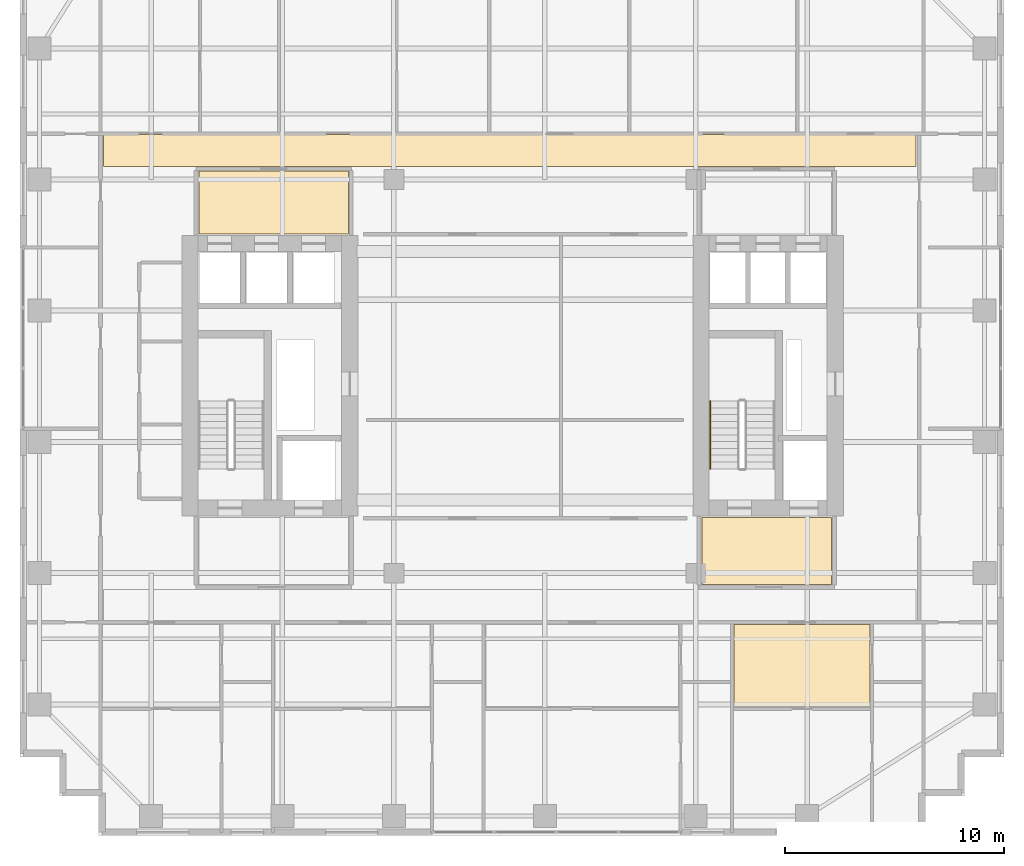
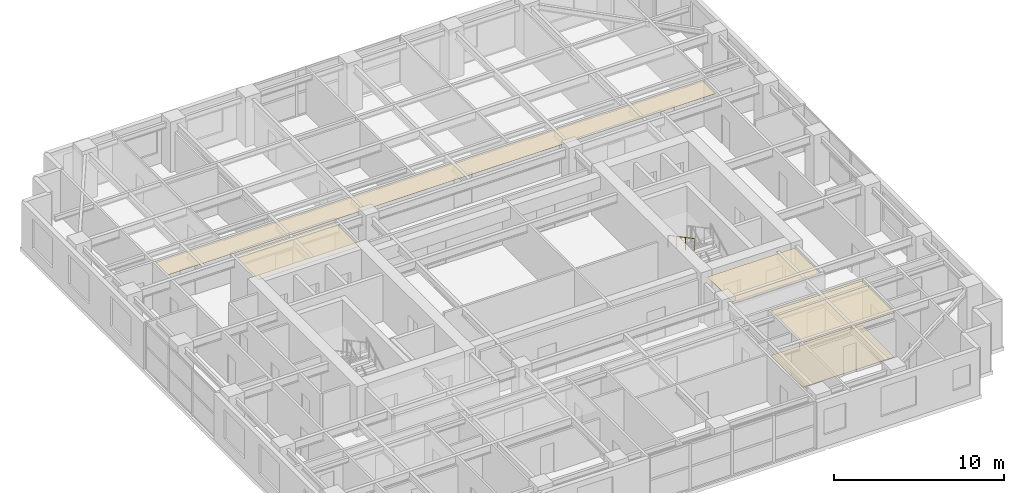
# One storey, part 18 of 20: 5 coverings, 1 railing.
"""IFC4 building model written with IfcOpenShell, lengths in metres."""

from ifc_helpers import new_model, si_unit, direction, frame, origin, origin_2d, place, context, subcontext, project, spatial, polyline, circle, outline, extrude, material, layer, layer_set, type_object, element, save


model = new_model("IFC4")

# Units and contexts
model_context = context("Model", 3, precision=1e-05, world=origin(), true_north=direction((0.0, 1.0)))
body_context = subcontext(model_context, "Body", "Model", "MODEL_VIEW")
ifc_project = project(units=[si_unit("LENGTHUNIT", "METRE"), si_unit("AREAUNIT", "SQUARE_METRE"), si_unit("VOLUMEUNIT", "CUBIC_METRE"), si_unit("PLANEANGLEUNIT", "RADIAN"), si_unit("MASSUNIT", "GRAM", prefix="KILO")], contexts=[model_context])

# Site, building, storey
site_placement = place(None, origin())
site = spatial("IfcSite", under=ifc_project, at=site_placement, CompositionType="ELEMENT")
building_placement = place(site_placement, origin())
building = spatial("IfcBuilding", under=site, at=building_placement, Name="Khoralis Quay Care Tower", CompositionType="ELEMENT")
storey_placement = place(building_placement, frame((0.0, 0.0, 116.10009765625)))
storey = spatial("IfcBuildingStorey", under=building, at=storey_placement, Name="L30", CompositionType="ELEMENT", Elevation=116.10009765625)

# Coverings
ifc_material_1 = material(Name="Mineral-fibre acoustic ceiling tile")
ifc_layer_1 = layer(ifc_material_1, 0.01806640625)
ifc_layer_set_1 = layer_set([ifc_layer_1], Name="Mineral-fibre acoustic ceiling tile")
covering_type_1 = type_object("IfcCoveringType", Name="COV-CEIL-AC18", PredefinedType="CEILING", material=ifc_layer_set_1)
covering_1_placement = place(storey_placement, frame((0.0, 0.0, 3.19189453125)))
element("IfcCovering", 1, at=covering_1_placement, inside=storey, type_object=covering_type_1, Name="Suspended Acoustic Ceiling SP-L30-FFLOB-E", PredefinedType="CEILING", context=body_context, shape_type="SweptSolid", body=[
    extrude(outline(polyline([(31.179931640625, 11.47998046875), (37.1201171875, 11.47998046875), (37.1201171875, 14.550048828125), (31.179931640625, 14.550048828125), (31.179931640625, 11.47998046875)])), origin(), (0.0, 0.0, 1.0), 0.01806640625),
])
covering_2_placement = place(storey_placement, frame((0.0, 0.0, 3.19189453125)))
element("IfcCovering", 2, at=covering_2_placement, inside=storey, type_object=covering_type_1, Name="Suspended Acoustic Ceiling SP-L30-LLOB-W", PredefinedType="CEILING", context=body_context, shape_type="SweptSolid", body=[
    extrude(outline(polyline([(8.179931640625, 27.5), (15.02001953125, 27.5), (15.02001953125, 30.389892578125), (8.179931640625, 30.389892578125), (8.179931640625, 27.5)])), origin(), (0.0, 0.0, 1.0), 0.01806640625),
])
covering_3_placement = place(storey_placement, frame((0.0, 0.0, 3.19189453125)))
element("IfcCovering", 3, at=covering_3_placement, inside=storey, type_object=covering_type_1, Name="Suspended Acoustic Ceiling SP-L30-CORR-N", PredefinedType="CEILING", context=body_context, shape_type="SweptSolid", body=[
    extrude(outline(polyline([(3.820068359375, 30.590087890625), (40.97998046875, 30.590087890625), (40.97998046875, 32.06005859375), (3.820068359375, 32.06005859375), (3.820068359375, 30.590087890625)])), origin(), (0.0, 0.0, 1.0), 0.01806640625),
])
covering_4_placement = place(storey_placement, frame((0.0, 0.0, 3.19189453125)))
element("IfcCovering", 4, at=covering_4_placement, inside=storey, type_object=covering_type_1, Name="Suspended Acoustic Ceiling SP-L30-SB-CARE3", PredefinedType="CEILING", context=body_context, shape_type="SweptSolid", body=[
    extrude(outline(polyline([(32.659912109375, 5.889892578125), (38.8701171875, 5.889892578125), (38.8701171875, 9.659912109375), (32.659912109375, 9.659912109375), (32.659912109375, 5.889892578125)])), origin(), (0.0, 0.0, 1.0), 0.01806640625),
])
ifc_material_2 = material(Name="Porcelain and non-slip vinyl flooring")
ifc_layer_2 = layer(ifc_material_2, 0.02001953125)
ifc_layer_set_2 = layer_set([ifc_layer_2], Name="Porcelain and non-slip vinyl flooring")
covering_type_2 = type_object("IfcCoveringType", Name="COV-FLOOR-20", PredefinedType="FLOORING", material=ifc_layer_set_2)
covering_5_placement = place(storey_placement, origin())
element("IfcCovering", 5, at=covering_5_placement, inside=storey, type_object=covering_type_2, Name="Resilient Healthcare Flooring SP-L30-SB-CARE3", PredefinedType="FLOORING", context=body_context, shape_type="SweptSolid", body=[
    extrude(outline(polyline([(32.659912109375, 5.889892578125), (38.8701171875, 5.889892578125), (38.8701171875, 9.659912109375), (32.659912109375, 9.659912109375), (32.659912109375, 5.889892578125)])), origin(), (0.0, 0.0, 1.0), 0.02001953125),
])

# Railing
ifc_material_3 = material(Name="Brushed stainless steel", Category="steel")
railing_type = type_object("IfcRailingType", Name="RL-HAND-900", PredefinedType="HANDRAIL", material=ifc_material_3)
railing_placement = place(storey_placement, frame((31.570068359375, 19.8701171875, 1.963623046875)))
element("IfcRailing", 6, at=railing_placement, inside=storey, type_object=railing_type, Name="L30 ST-T2 stair handrail 2", PredefinedType="HANDRAIL", context=body_context, shape_type="SweptSolid", body=[
    extrude(circle(Radius=0.02392578125, at=origin_2d()), frame((0.0, 0.0, 0.8759765625), z_axis=(0.0, -0.884376766648, 0.46677375099), x_axis=(1.0, 0.0, 0.0)), (0.0, 0.0, 1.0), 3.50537109375),
    extrude(circle(Radius=0.02099609375, at=origin_2d()), origin(), (0.0, 0.0, 1.0), 0.851806640625),
    extrude(circle(Radius=0.02099609375, at=origin_2d()), frame((0.0, -1.033447265625, 0.54541015625)), (0.0, 0.0, 1.0), 0.851806640625),
    extrude(circle(Radius=0.02099609375, at=origin_2d()), frame((0.0, -2.066650390625, 1.0908203125)), (0.0, 0.0, 1.0), 0.851806640625),
    extrude(circle(Radius=0.02099609375, at=origin_2d()), frame((0.0, -3.10009765625, 1.63623046875)), (0.0, 0.0, 1.0), 0.851806640625),
])

save(model, "model.ifc")
